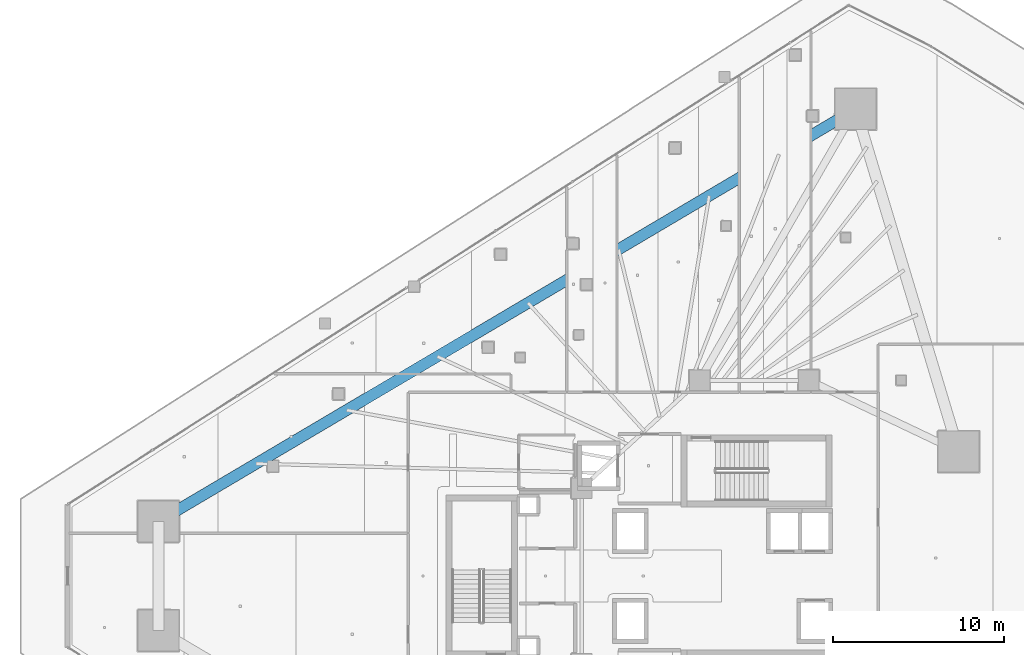
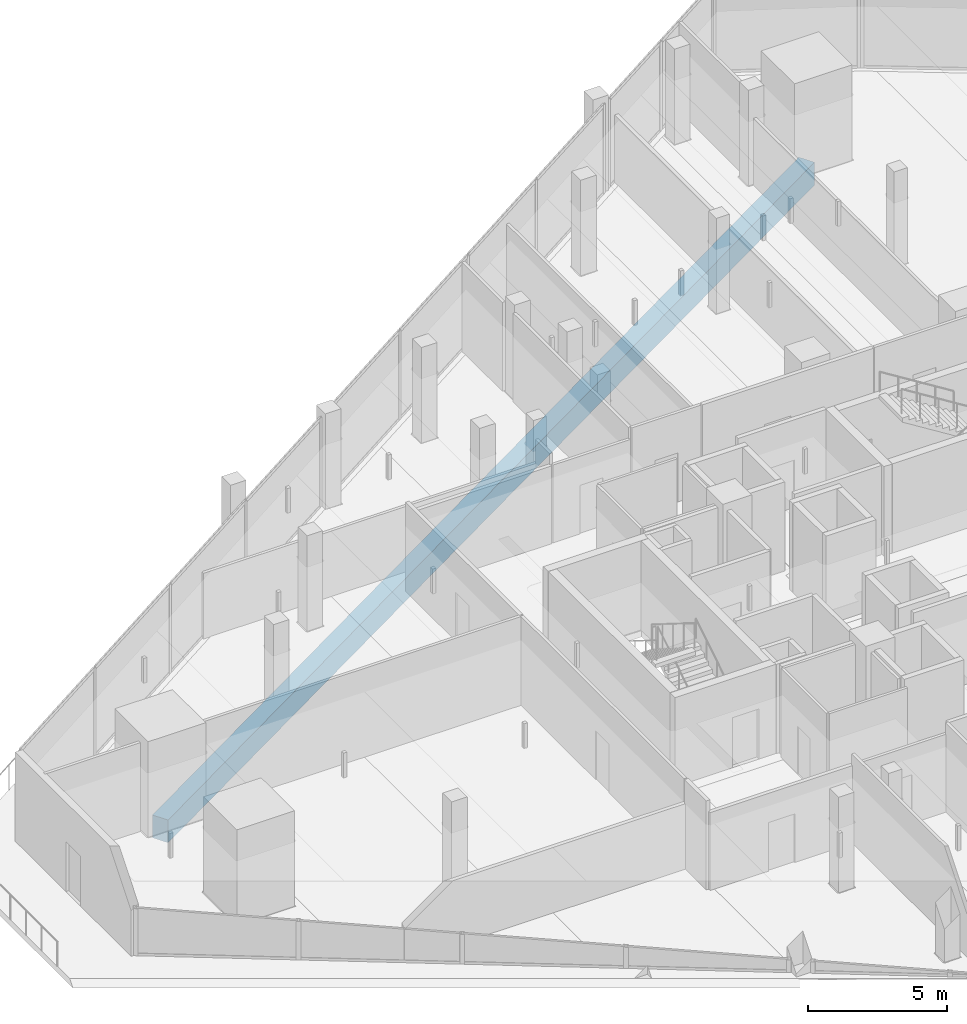
# One storey, part 16 of 44: 1 beam.
"""IFC4 building model written with IfcOpenShell, lengths in metres."""

from ifc_helpers import new_model, si_unit, direction, frame, origin, origin_2d, place, context, subcontext, project, spatial, rectangle, extrude, material, material_profile, profile_set, type_object, element, save


model = new_model("IFC4")

# Units and contexts
model_context = context("Model", 3, precision=1e-05, world=origin(), true_north=direction((0.0, 1.0)))
body_context = subcontext(model_context, "Body", "Model", "MODEL_VIEW")
ifc_project = project(units=[si_unit("LENGTHUNIT", "METRE"), si_unit("AREAUNIT", "SQUARE_METRE"), si_unit("VOLUMEUNIT", "CUBIC_METRE"), si_unit("PLANEANGLEUNIT", "RADIAN"), si_unit("MASSUNIT", "GRAM", prefix="KILO")], contexts=[model_context])

# Site, building, storey
site_placement = place(None, origin())
site = spatial("IfcSite", under=ifc_project, at=site_placement, CompositionType="ELEMENT")
building_placement = place(site_placement, origin())
building = spatial("IfcBuilding", under=site, at=building_placement, Name="Qorvath Tower", CompositionType="ELEMENT")
storey_placement = place(building_placement, frame((0.0, 0.0, 53.39990234375)))
storey = spatial("IfcBuildingStorey", under=building, at=storey_placement, Name="L11", CompositionType="ELEMENT", Elevation=53.39990234375)

# Beam
ifc_material = material(Name="Concrete C50/60", Category="concrete")
ifc_material_profile = material_profile(ifc_material, rectangle(XDim=0.64990234375, YDim=1.0, at=origin_2d()), Name="RCB 1000x650")
ifc_profile_set = profile_set([ifc_material_profile], Name="Concrete C50/60")
beam_type = type_object("IfcBeamType", Name="BM-RCB1", PredefinedType="SPANDREL", material=ifc_profile_set)
beam_placement = place(storey_placement, frame((-14.46435546875, 27.330810546875, -0.77978515625), z_axis=(-0.860777360917, -0.508981664633, 0.0), x_axis=(0.508981664633, -0.860777360917, 0.0)))
element("IfcBeam", 1, at=beam_placement, inside=storey, type_object=beam_type, Name="Perimeter Loggia Frame Beam MC6-MC1 L11", PredefinedType="SPANDREL", context=body_context, shape_type="SweptSolid", body=[
    extrude(rectangle(XDim=0.64990234375, YDim=1.0, at=origin_2d()), origin(), (0.0, 0.0, 1.0), 47.420654296875),
])

save(model, "model.ifc")
